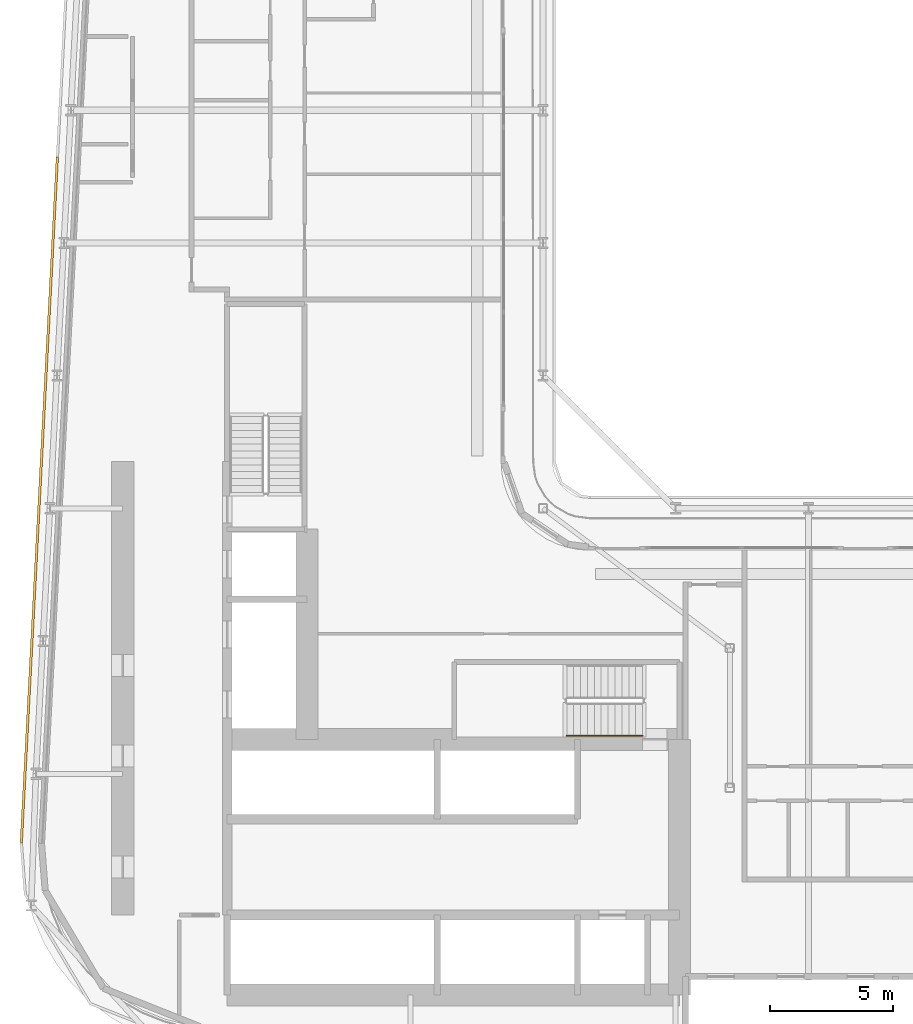
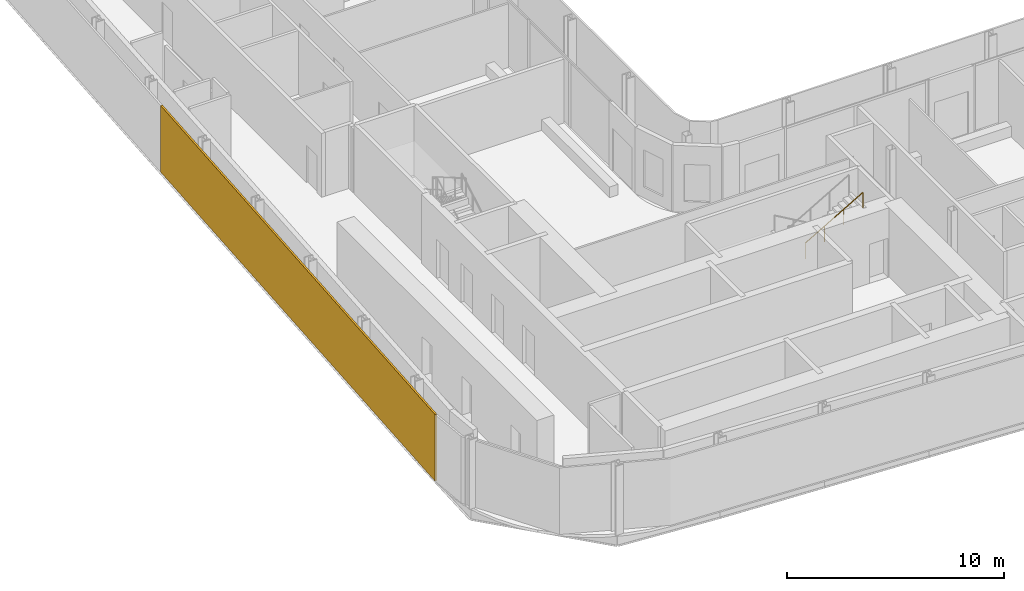
# One storey, part 21 of 27: 1 railing, 1 shading device.
"""IFC4 building model written with IfcOpenShell, lengths in metres."""

from ifc_helpers import new_model, si_unit, direction, frame, origin, origin_2d, place, context, subcontext, project, spatial, rectangle, circle, extrude, material, layer, layer_set, type_object, element, save


model = new_model("IFC4")

# Units and contexts
model_context = context("Model", 3, precision=1e-05, world=origin(), true_north=direction((0.0, 1.0)))
body_context = subcontext(model_context, "Body", "Model", "MODEL_VIEW")
ifc_project = project(units=[si_unit("LENGTHUNIT", "METRE"), si_unit("AREAUNIT", "SQUARE_METRE"), si_unit("VOLUMEUNIT", "CUBIC_METRE"), si_unit("PLANEANGLEUNIT", "RADIAN"), si_unit("MASSUNIT", "GRAM", prefix="KILO")], contexts=[model_context])

# Site, building, storey
site_placement = place(None, origin())
site = spatial("IfcSite", under=ifc_project, at=site_placement, CompositionType="ELEMENT")
building_placement = place(site_placement, origin())
building = spatial("IfcBuilding", under=site, at=building_placement, Name="Kheshtan School and Residences Tower", CompositionType="ELEMENT")
storey_placement = place(building_placement, frame((0.0, 0.0, 101.89990234375)))
storey = spatial("IfcBuildingStorey", under=building, at=storey_placement, Name="L23", CompositionType="ELEMENT", Elevation=101.89990234375)

# Shading device
ifc_material_1 = material(Name="Terracotta baguette, extruded ceramic", Category="masonry")
ifc_layer = layer(ifc_material_1, 0.10009765625)
ifc_layer_set = layer_set([ifc_layer], Name="Ledge screen, terracotta baguettes")
shading_device_type = type_object("IfcShadingDeviceType", Name="Ledge screen, terracotta baguettes", PredefinedType="USERDEFINED", material=ifc_layer_set)
shading_device_placement = place(storey_placement, frame((27.10400390625, 45.93896484375, 0.0), z_axis=(0.0, 0.0, 1.0), x_axis=(0.052562536748, 0.998617634398, 0.0)))
element("IfcShadingDevice", 1, at=shading_device_placement, inside=storey, type_object=shading_device_type, Name="Screen L23 4", ObjectType="BAGUETTE", PredefinedType="USERDEFINED", context=body_context, shape_type="SweptSolid", body=[
    extrude(rectangle(XDim=27.93408203125, YDim=0.10009765625, at=origin_2d()), origin(), (0.0, 0.0, 1.0), 3.75),
])

# Railing
ifc_material_2 = material(Name="Stainless steel handrail", Category="steel")
railing_type = type_object("IfcRailingType", Name="Stair handrail 900", PredefinedType="HANDRAIL", material=ifc_material_2)
railing_placement = place(storey_placement, frame((48.570068359375, 36.35009765625, 2.112548828125)))
element("IfcRailing", 2, at=railing_placement, inside=storey, type_object=railing_type, Name="L23 ST1 stair handrail 2", PredefinedType="HANDRAIL", context=body_context, shape_type="SweptSolid", body=[
    extrude(circle(Radius=0.02392578125, at=origin_2d()), frame((0.0, 0.0, 0.8759765625), z_axis=(0.864873446163, 0.0, 0.501989962173), x_axis=(0.0, 1.0, 0.0)), (0.0, 0.0, 1.0), 3.56103515625),
    extrude(circle(Radius=0.02099609375, at=origin_2d()), origin(), (0.0, 0.0, 1.0), 0.851806640625),
    extrude(circle(Radius=0.02099609375, at=origin_2d()), frame((1.026611328125, 0.0, 0.595947265625)), (0.0, 0.0, 1.0), 0.851806640625),
    extrude(circle(Radius=0.02099609375, at=origin_2d()), frame((2.05322265625, 0.0, 1.191650390625)), (0.0, 0.0, 1.0), 0.851806640625),
    extrude(circle(Radius=0.02099609375, at=origin_2d()), frame((3.079833984375, 0.0, 1.78759765625)), (0.0, 0.0, 1.0), 0.851806640625),
])

save(model, "model.ifc")
